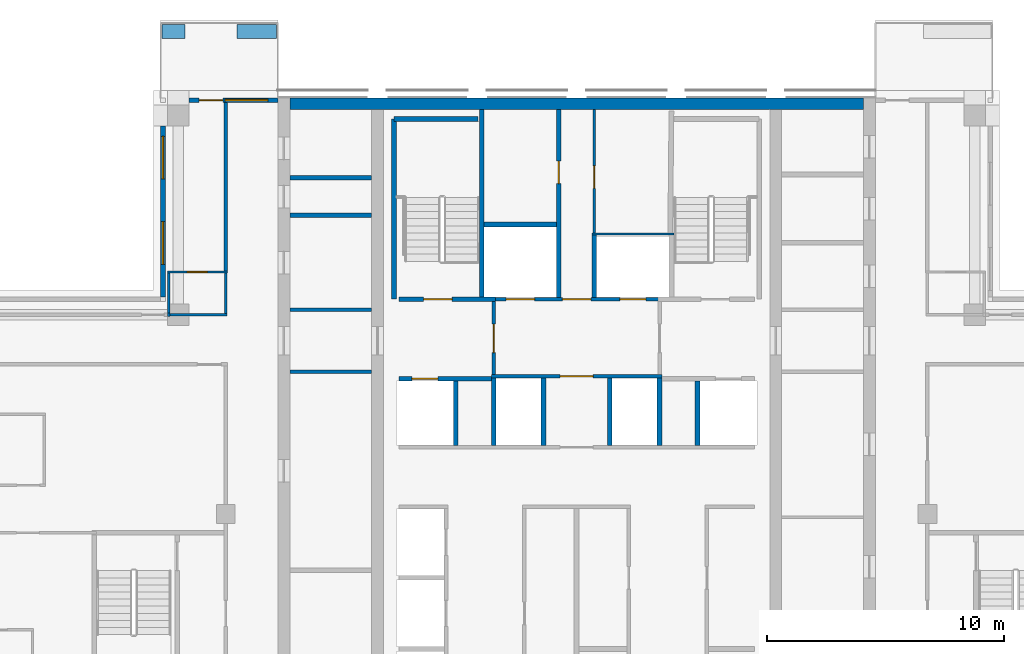
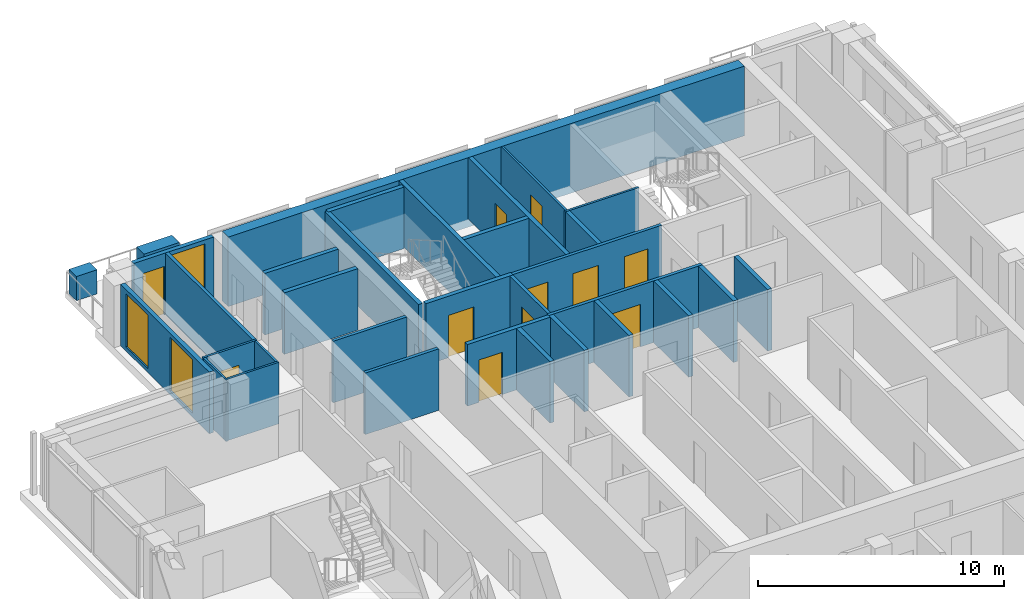
# One storey, part 14 of 19: 34 walls, 11 doors, 3 windows, 14 openings.
"""IFC4 building model written with IfcOpenShell, lengths in metres."""

from ifc_helpers import new_model, si_unit, direction, frame, frame_2d, origin, place, context, subcontext, project, spatial, rectangle, extrude, material, layer, layer_set, type_object, element, fill, save


model = new_model("IFC4")

# Units and contexts
model_context = context("Model", 3, precision=1e-05, world=origin(), true_north=direction((0.0, 1.0)))
body_context = subcontext(model_context, "Body", "Model", "MODEL_VIEW")
ifc_project = project(units=[si_unit("LENGTHUNIT", "METRE"), si_unit("AREAUNIT", "SQUARE_METRE"), si_unit("VOLUMEUNIT", "CUBIC_METRE"), si_unit("PLANEANGLEUNIT", "RADIAN"), si_unit("MASSUNIT", "GRAM", prefix="KILO")], contexts=[model_context])

# Site, building, storey
site_placement = place(None, origin())
site = spatial("IfcSite", under=ifc_project, at=site_placement, CompositionType="ELEMENT")
building_placement = place(site_placement, origin())
building = spatial("IfcBuilding", under=site, at=building_placement, Name="Vermilion Ogive Tower", CompositionType="ELEMENT")
storey_placement = place(building_placement, frame((0.0, 0.0, 226.89990234375)))
storey = spatial("IfcBuildingStorey", under=building, at=storey_placement, Name="L59", CompositionType="ELEMENT", Elevation=226.89990234375)

# Walls
ifc_material_1 = material(Name="Concrete B60", Category="concrete")
ifc_layer_1 = layer(ifc_material_1, 0.5)
ifc_layer_set_1 = layer_set([ifc_layer_1], Name="Core wall 500 B60")
wall_type_1 = type_object("IfcWallType", Name="Core wall 500 B60", PredefinedType="SHEAR", material=ifc_layer_set_1)
wall_1_placement = place(storey_placement, frame((-12.10009765625, 21.5, -0.39990234375), z_axis=(0.0, 0.0, 1.0), x_axis=(1.0, 0.0, 0.0)))
element("IfcWall", 1, at=wall_1_placement, inside=storey, type_object=wall_type_1, Name="L59-CORE-N", PredefinedType="SHEAR", context=body_context, shape_type="SweptSolid", body=[
    extrude(rectangle(XDim=24.2001953125, YDim=0.5, at=frame_2d((12.10009765625, 0.0))), origin(), (0.0, 0.0, 1.0), 3.449951171875),
])
ifc_material_2 = material(Name="Gypsum board partition on steel studs", Category="steel")
ifc_layer_2 = layer(ifc_material_2, 0.10009765625)
ifc_layer_set_2 = layer_set([ifc_layer_2], Name="Partition 100 bath")
wall_type_2 = type_object("IfcWallType", Name="Partition 100 bath", PredefinedType="PARTITIONING", material=ifc_layer_set_2)
wall_2_placement = place(storey_placement, frame((-17.25, 12.60009765625, 0.0), z_axis=(0.0, 0.0, 1.0), x_axis=(1.0, 0.0, 0.0)))
element("IfcWall", 2, at=wall_2_placement, inside=storey, type_object=wall_type_2, Name="L59-W-W034", PredefinedType="PARTITIONING", context=body_context, shape_type="SweptSolid", body=[
    extrude(rectangle(XDim=2.5, YDim=0.10009765625, at=frame_2d((1.25, 0.0))), origin(), (0.0, 0.0, 1.0), 3.050048828125),
])

# Wall, opening, door
wall_3_placement = place(storey_placement, frame((-17.25, 14.39990234375, 0.0), z_axis=(0.0, 0.0, 1.0), x_axis=(1.0, 0.0, 0.0)))
wall_3 = element("IfcWall", 3, at=wall_3_placement, inside=storey, type_object=wall_type_2, Name="L59-W-W037", PredefinedType="PARTITIONING", context=body_context, shape_type="SweptSolid", body=[
    extrude(rectangle(XDim=2.52490234375, YDim=0.10009765625, at=frame_2d((1.262451171875, 0.0))), origin(), (0.0, 0.0, 1.0), 3.050048828125),
])
opening_1_placement = place(wall_3_placement, frame((0.824951171875, 0.0, 0.0)))
opening_1 = element("IfcOpeningElement", 4, at=opening_1_placement, cuts=wall_3, Name="Opening D5G1008", PredefinedType="OPENING", context=body_context, shape_type="SweptSolid", body=[
    extrude(rectangle(XDim=0.85009765625, YDim=2.10009765625, at=frame_2d((0.425048828125, 1.050048828125))), frame((0.0, 0.06005859375, 0.0), z_axis=(0.0, -1.0, 0.0), x_axis=(1.0, 0.0, 0.0)), (0.0, 0.0, 1.0), 0.1201171875),
])
ifc_material_3 = material(Name="Timber door leaf", Category="wood")
door_type_1 = type_object("IfcDoorType", Name="Bath door 850 x 2100 FD30", OperationType="SINGLE_SWING_LEFT", PredefinedType="DOOR", material=ifc_material_3)
door_1_placement = place(opening_1_placement, origin())
door_1 = element("IfcDoor", 5, at=door_1_placement, inside=storey, type_object=door_type_1, Name="L59-D-D008", OperationType="SINGLE_SWING_RIGHT", OverallHeight=2.10009765625, OverallWidth=0.85009765625, PredefinedType="DOOR", context=body_context, shape_type="SweptSolid", body=[
    extrude(rectangle(XDim=0.85009765625, YDim=2.10009765625, at=frame_2d((0.425048828125, 1.050048828125))), frame((0.0, 0.02490234375, 0.0), z_axis=(0.0, -1.0, 0.0), x_axis=(1.0, 0.0, 0.0)), (0.0, 0.0, 1.0), 0.050048828125),
])
fill(opening_1, door_1)

# Walls
wall_4_placement = place(storey_placement, frame((-17.199951171875, 12.675048828125, 0.0), z_axis=(0.0, 0.0, 1.0), x_axis=(0.0, 1.0, 0.0)))
element("IfcWall", 6, at=wall_4_placement, inside=storey, type_object=wall_type_2, Name="L59-W-W043", PredefinedType="PARTITIONING", context=body_context, shape_type="SweptSolid", body=[
    extrude(rectangle(XDim=1.675048828125, YDim=0.10009765625, at=frame_2d((0.83740234375, 0.0))), origin(), (0.0, 0.0, 1.0), 3.050048828125),
])
wall_5_placement = place(storey_placement, frame((-14.800048828125, 12.64990234375, 0.0), z_axis=(0.0, 0.0, 1.0), x_axis=(0.0, 1.0, 0.0)))
element("IfcWall", 7, at=wall_5_placement, inside=storey, type_object=wall_type_2, Name="L59-W-W046", PredefinedType="PARTITIONING", context=body_context, shape_type="SweptSolid", body=[
    extrude(rectangle(XDim=1.7001953125, YDim=0.10009765625, at=frame_2d((0.85009765625, 0.0))), origin(), (0.0, 0.0, 1.0), 3.050048828125),
])
wall_6_placement = place(storey_placement, frame((0.64990234375, 16.0, 0.0), z_axis=(0.0, 0.0, 1.0), x_axis=(1.0, 0.0, 0.0)))
element("IfcWall", 8, at=wall_6_placement, inside=storey, type_object=wall_type_2, Name="L59-CK-W-W017", PredefinedType="PARTITIONING", context=body_context, shape_type="SweptSolid", body=[
    extrude(rectangle(XDim=3.4501953125, YDim=0.10009765625, at=frame_2d((1.72509765625, 0.0))), origin(), (0.0, 0.0, 1.0), 3.050048828125),
])

# Wall, opening, door
wall_7_placement = place(storey_placement, frame((0.75, 16.050048828125, 0.0), z_axis=(0.0, 0.0, 1.0), x_axis=(0.0, 1.0, 0.0)))
wall_7 = element("IfcWall", 9, at=wall_7_placement, inside=storey, type_object=wall_type_2, Name="L59-CK-W-W029", PredefinedType="PARTITIONING", context=body_context, shape_type="SweptSolid", body=[
    extrude(rectangle(XDim=5.198974609375, YDim=0.10009765625, at=frame_2d((2.599609375, 0.0))), origin(), (0.0, 0.0, 1.0), 3.050048828125),
])
opening_2_placement = place(wall_7_placement, frame((1.875, 0.0, 0.0)))
opening_2 = element("IfcOpeningElement", 10, at=opening_2_placement, cuts=wall_7, Name="Opening DAA549", PredefinedType="OPENING", context=body_context, shape_type="SweptSolid", body=[
    extrude(rectangle(XDim=0.949951171875, YDim=2.10009765625, at=frame_2d((0.47509765625, 1.050048828125))), frame((0.0, 0.06005859375, 0.0), z_axis=(0.0, -1.0, 0.0), x_axis=(1.0, 0.0, 0.0)), (0.0, 0.0, 1.0), 0.1201171875),
])
ifc_material_4 = material(Name="Timber door leaf", Category="wood")
door_type_2 = type_object("IfcDoorType", Name="Service door 950 x 2100 FD60", OperationType="SINGLE_SWING_LEFT", PredefinedType="DOOR", material=ifc_material_4)
door_2_placement = place(opening_2_placement, origin())
door_2 = element("IfcDoor", 11, at=door_2_placement, inside=storey, type_object=door_type_2, Name="L59-CK-D-D021", OperationType="SINGLE_SWING_LEFT", OverallHeight=2.10009765625, OverallWidth=0.949951171875, PredefinedType="DOOR", context=body_context, shape_type="SweptSolid", body=[
    extrude(rectangle(XDim=0.949951171875, YDim=2.10009765625, at=frame_2d((0.47509765625, 1.050048828125))), frame((0.0, 0.02490234375, 0.0), z_axis=(0.0, -1.0, 0.0), x_axis=(1.0, 0.0, 0.0)), (0.0, 0.0, 1.0), 0.050048828125),
])
fill(opening_2, door_2)

# Wall
ifc_material_5 = material(Name="Gypsum board partition on steel studs", Category="steel")
ifc_layer_3 = layer(ifc_material_5, 0.14990234375)
ifc_layer_set_3 = layer_set([ifc_layer_3], Name="Partition 150 corridor")
wall_type_3 = type_object("IfcWallType", Name="Partition 150 corridor", PredefinedType="PARTITIONING", material=ifc_layer_set_3)
wall_8_placement = place(storey_placement, frame((-14.800048828125, 14.449951171875, 0.0), z_axis=(0.0, 0.0, 1.0), x_axis=(0.0, 1.0, 0.0)))
element("IfcWall", 12, at=wall_8_placement, inside=storey, type_object=wall_type_3, Name="L59-W-W047", PredefinedType="PARTITIONING", context=body_context, shape_type="SweptSolid", body=[
    extrude(rectangle(XDim=7.10009765625, YDim=0.14990234375, at=frame_2d((3.550048828125, 0.0))), origin(), (0.0, 0.0, 1.0), 3.050048828125),
])

# Wall, opening, door
wall_9_placement = place(storey_placement, frame((-3.60009765625, 10.0, 0.0), z_axis=(0.0, 0.0, 1.0), x_axis=(1.0, 0.0, 0.0)))
wall_9 = element("IfcWall", 13, at=wall_9_placement, inside=storey, type_object=wall_type_3, Name="L59-CK-W-W013", PredefinedType="PARTITIONING", context=body_context, shape_type="SweptSolid", body=[
    extrude(rectangle(XDim=7.2001953125, YDim=0.14990234375, at=frame_2d((3.60009765625, 0.0))), origin(), (0.0, 0.0, 1.0), 3.050048828125),
])
opening_3_placement = place(wall_9_placement, frame((2.900146484375, 0.0, 0.0)))
opening_3 = element("IfcOpeningElement", 14, at=opening_3_placement, cuts=wall_9, Name="Opening DAA541", PredefinedType="OPENING", context=body_context, shape_type="SweptSolid", body=[
    extrude(rectangle(XDim=1.39990234375, YDim=2.10009765625, at=frame_2d((0.699951171875, 1.050048828125))), frame((0.0, 0.0849609375, 0.0), z_axis=(0.0, -1.0, 0.0), x_axis=(1.0, 0.0, 0.0)), (0.0, 0.0, 1.0), 0.169921875),
])
ifc_material_6 = material(Name="Timber door leaf", Category="wood")
door_type_3 = type_object("IfcDoorType", Name="Lobby door 1400 x 2100 FD60S", OperationType="SINGLE_SWING_LEFT", PredefinedType="DOOR", material=ifc_material_6)
door_3_placement = place(opening_3_placement, origin())
door_3 = element("IfcDoor", 15, at=door_3_placement, inside=storey, type_object=door_type_3, Name="L59-CK-D-D016", OperationType="SINGLE_SWING_RIGHT", OverallHeight=2.10009765625, OverallWidth=1.39990234375, PredefinedType="DOOR", context=body_context, shape_type="SweptSolid", body=[
    extrude(rectangle(XDim=1.39990234375, YDim=2.10009765625, at=frame_2d((0.699951171875, 1.050048828125))), frame((0.0, 0.02490234375, 0.0), z_axis=(0.0, -1.0, 0.0), x_axis=(1.0, 0.0, 0.0)), (0.0, 0.0, 1.0), 0.050048828125),
])
fill(opening_3, door_3)

# Wall, openings, doors
wall_10_placement = place(storey_placement, frame((-3.574951171875, 13.25, 0.0), z_axis=(0.0, 0.0, 1.0), x_axis=(1.0, 0.0, 0.0)))
wall_10 = element("IfcWall", 16, at=wall_10_placement, inside=storey, type_object=wall_type_3, Name="L59-CK-W-W015", PredefinedType="PARTITIONING", context=body_context, shape_type="SweptSolid", body=[
    extrude(rectangle(XDim=7.14990234375, YDim=0.14990234375, at=frame_2d((3.574951171875, 0.0))), origin(), (0.0, 0.0, 1.0), 3.050048828125),
])
opening_4_placement = place(wall_10_placement, frame((0.599853515625, 0.0, 0.0)))
opening_4 = element("IfcOpeningElement", 17, at=opening_4_placement, cuts=wall_10, Name="Opening DAA560", PredefinedType="OPENING", context=body_context, shape_type="SweptSolid", body=[
    extrude(rectangle(XDim=1.199951171875, YDim=2.10009765625, at=frame_2d((0.60009765625, 1.050048828125))), frame((0.0, 0.0849609375, 0.0), z_axis=(0.0, -1.0, 0.0), x_axis=(1.0, 0.0, 0.0)), (0.0, 0.0, 1.0), 0.169921875),
])
opening_5_placement = place(wall_10_placement, frame((5.39990234375, 0.0, 0.0)))
opening_5 = element("IfcOpeningElement", 18, at=opening_5_placement, cuts=wall_10, Name="Opening DAA559", PredefinedType="OPENING", context=body_context, shape_type="SweptSolid", body=[
    extrude(rectangle(XDim=1.10009765625, YDim=2.10009765625, at=frame_2d((0.550048828125, 1.050048828125))), frame((0.0, 0.0849609375, 0.0), z_axis=(0.0, -1.0, 0.0), x_axis=(1.0, 0.0, 0.0)), (0.0, 0.0, 1.0), 0.169921875),
])
opening_6_placement = place(wall_10_placement, frame((2.974853515625, 0.0, 0.0)))
opening_6 = element("IfcOpeningElement", 19, at=opening_6_placement, cuts=wall_10, Name="Opening DAA542", PredefinedType="OPENING", context=body_context, shape_type="SweptSolid", body=[
    extrude(rectangle(XDim=1.199951171875, YDim=2.10009765625, at=frame_2d((0.60009765625, 1.050048828125))), frame((0.0, 0.0849609375, 0.0), z_axis=(0.0, -1.0, 0.0), x_axis=(1.0, 0.0, 0.0)), (0.0, 0.0, 1.0), 0.169921875),
])
ifc_material_7 = material(Name="Stainless steel", Category="steel")
door_type_4 = type_object("IfcDoorType", Name="Lift landing door 1100 x 2100", OperationType="SLIDING_TO_LEFT", PredefinedType="DOOR", material=ifc_material_7)
door_4_placement = place(opening_5_placement, origin())
door_4 = element("IfcDoor", 20, at=door_4_placement, inside=storey, type_object=door_type_4, Name="L59-CK-D-D018", OperationType="SLIDING_TO_LEFT", OverallHeight=2.10009765625, OverallWidth=1.10009765625, PredefinedType="DOOR", context=body_context, shape_type="SweptSolid", body=[
    extrude(rectangle(XDim=1.10009765625, YDim=2.10009765625, at=frame_2d((0.550048828125, 1.050048828125))), frame((0.0, 0.02490234375, 0.0), z_axis=(0.0, -1.0, 0.0), x_axis=(1.0, 0.0, 0.0)), (0.0, 0.0, 1.0), 0.050048828125),
])
fill(opening_5, door_4)
ifc_material_8 = material(Name="Stainless steel", Category="steel")
door_type_5 = type_object("IfcDoorType", Name="Lift landing door 1200 x 2100", OperationType="SLIDING_TO_LEFT", PredefinedType="DOOR", material=ifc_material_8)
door_5_placement = place(opening_4_placement, origin())
door_5 = element("IfcDoor", 21, at=door_5_placement, inside=storey, type_object=door_type_5, Name="L59-CK-D-D017", OperationType="SLIDING_TO_RIGHT", OverallHeight=2.10009765625, OverallWidth=1.199951171875, PredefinedType="DOOR", context=body_context, shape_type="SweptSolid", body=[
    extrude(rectangle(XDim=1.199951171875, YDim=2.10009765625, at=frame_2d((0.60009765625, 1.050048828125))), frame((0.0, 0.02490234375, 0.0), z_axis=(0.0, -1.0, 0.0), x_axis=(1.0, 0.0, 0.0)), (0.0, 0.0, 1.0), 0.050048828125),
])
fill(opening_4, door_5)
ifc_material_9 = material(Name="Timber door leaf", Category="wood")
door_type_6 = type_object("IfcDoorType", Name="Service door 1200 x 2100 FD60", OperationType="SINGLE_SWING_LEFT", PredefinedType="DOOR", material=ifc_material_9)
door_6_placement = place(opening_6_placement, origin())
door_6 = element("IfcDoor", 22, at=door_6_placement, inside=storey, type_object=door_type_6, Name="L59-CK-D-D019", OperationType="SINGLE_SWING_RIGHT", OverallHeight=2.10009765625, OverallWidth=1.199951171875, PredefinedType="DOOR", context=body_context, shape_type="SweptSolid", body=[
    extrude(rectangle(XDim=1.199951171875, YDim=2.10009765625, at=frame_2d((0.60009765625, 1.050048828125))), frame((0.0, 0.02490234375, 0.0), z_axis=(0.0, -1.0, 0.0), x_axis=(1.0, 0.0, 0.0)), (0.0, 0.0, 1.0), 0.050048828125),
])
fill(opening_6, door_6)

# Wall, opening, door
wall_11_placement = place(storey_placement, frame((-3.5, 10.074951171875, 0.0), z_axis=(0.0, 0.0, 1.0), x_axis=(0.0, 1.0, 0.0)))
wall_11 = element("IfcWall", 23, at=wall_11_placement, inside=storey, type_object=wall_type_3, Name="L59-CK-W-W023", PredefinedType="PARTITIONING", context=body_context, shape_type="SweptSolid", body=[
    extrude(rectangle(XDim=3.074951171875, YDim=0.14990234375, at=frame_2d((1.53759765625, 0.0))), origin(), (0.0, 0.0, 1.0), 3.050048828125),
])
opening_7_placement = place(wall_11_placement, frame((0.925048828125, 0.0, 0.0)))
opening_7 = element("IfcOpeningElement", 24, at=opening_7_placement, cuts=wall_11, Name="Opening DAA538", PredefinedType="OPENING", context=body_context, shape_type="SweptSolid", body=[
    extrude(rectangle(XDim=1.199951171875, YDim=2.10009765625, at=frame_2d((0.60009765625, 1.050048828125))), frame((0.0, 0.0849609375, 0.0), z_axis=(0.0, -1.0, 0.0), x_axis=(1.0, 0.0, 0.0)), (0.0, 0.0, 1.0), 0.169921875),
])
ifc_material_10 = material(Name="Timber door leaf", Category="wood")
door_type_7 = type_object("IfcDoorType", Name="Lobby door 1200 x 2100 FD60S", OperationType="SINGLE_SWING_LEFT", PredefinedType="DOOR", material=ifc_material_10)
door_7_placement = place(opening_7_placement, origin())
door_7 = element("IfcDoor", 25, at=door_7_placement, inside=storey, type_object=door_type_7, Name="L59-CK-D-D022", OperationType="SINGLE_SWING_RIGHT", OverallHeight=2.10009765625, OverallWidth=1.199951171875, PredefinedType="DOOR", context=body_context, shape_type="SweptSolid", body=[
    extrude(rectangle(XDim=1.199951171875, YDim=2.10009765625, at=frame_2d((0.60009765625, 1.050048828125))), frame((0.0, 0.02490234375, 0.0), z_axis=(0.0, -1.0, 0.0), x_axis=(1.0, 0.0, 0.0)), (0.0, 0.0, 1.0), 0.050048828125),
])
fill(opening_7, door_7)

# Walls
for number, where, z_axis, x_axis, name in (
    (26, (-12.09912109375, 10.199951171875, 0.0), (0.0, 0.0, 1.0), (1.0, 0.0, 0.0), "L59-CKW-W-W002"),
    (27, (-12.09912109375, 12.800048828125, 0.0), (0.0, 0.0, 1.0), (1.0, 0.0, 0.0), "L59-CKW-W-W003"),
):
    element("IfcWall", number, at=place(storey_placement, frame(where, z_axis=z_axis, x_axis=x_axis)), inside=storey, type_object=wall_type_3, Name=name, PredefinedType="PARTITIONING", context=body_context, shape_type="SweptSolid", body=[
        extrude(rectangle(XDim=3.4482421875, YDim=0.14990234375, at=frame_2d((1.72412109375, 0.0))), origin(), (0.0, 0.0, 1.0), 3.050048828125),
    ])
wall_12_placement = place(storey_placement, frame((-17.25, 12.60009765625, 0.0), z_axis=(0.0, 0.0, 1.0), x_axis=(1.0, 0.0, 0.0)))
element("IfcWall", 28, at=wall_12_placement, inside=storey, type_object=wall_type_3, Name="L59-W-W033-h2", PredefinedType="PARTITIONING", context=body_context, shape_type="SweptSolid", body=[
    extrude(rectangle(XDim=0.10009765625, YDim=0.14990234375, at=frame_2d((0.050048828125, 0.0))), origin(), (0.0, 0.0, 1.0), 3.050048828125),
])

# Wall, opening, door
ifc_material_11 = material(Name="Gypsum board partition on steel studs", Category="steel")
ifc_layer_4 = layer(ifc_material_11, 0.199951171875)
ifc_layer_set_4 = layer_set([ifc_layer_4], Name="Partition 200 party")
wall_type_4 = type_object("IfcWallType", Name="Partition 200 party", PredefinedType="PARTITIONING", material=ifc_layer_set_4)
wall_13_placement = place(storey_placement, frame((-7.5, 9.89990234375, 0.0), z_axis=(0.0, 0.0, 1.0), x_axis=(1.0, 0.0, 0.0)))
wall_13 = element("IfcWall", 29, at=wall_13_placement, inside=storey, type_object=wall_type_4, Name="L59-CK-W-W011", PredefinedType="PARTITIONING", context=body_context, shape_type="SweptSolid", body=[
    extrude(rectangle(XDim=3.89990234375, YDim=0.199951171875, at=frame_2d((1.949951171875, 0.0))), origin(), (0.0, 0.0, 1.0), 3.050048828125),
])
opening_8_placement = place(wall_13_placement, frame((0.550048828125, 0.0, 0.0)))
opening_8 = element("IfcOpeningElement", 30, at=opening_8_placement, cuts=wall_13, Name="Opening DAA557", PredefinedType="OPENING", context=body_context, shape_type="SweptSolid", body=[
    extrude(rectangle(XDim=1.10009765625, YDim=2.10009765625, at=frame_2d((0.550048828125, 1.050048828125))), frame((0.0, 0.10986328125, 0.0), z_axis=(0.0, -1.0, 0.0), x_axis=(1.0, 0.0, 0.0)), (0.0, 0.0, 1.0), 0.219970703125),
])
door_8_placement = place(opening_8_placement, origin())
door_8 = element("IfcDoor", 31, at=door_8_placement, inside=storey, type_object=door_type_4, Name="L59-CK-D-D012", OperationType="SLIDING_TO_RIGHT", OverallHeight=2.10009765625, OverallWidth=1.10009765625, PredefinedType="DOOR", context=body_context, shape_type="SweptSolid", body=[
    extrude(rectangle(XDim=1.10009765625, YDim=2.10009765625, at=frame_2d((0.550048828125, 1.050048828125))), frame((0.0, 0.02490234375, 0.0), z_axis=(0.0, -1.0, 0.0), x_axis=(1.0, 0.0, 0.0)), (0.0, 0.0, 1.0), 0.050048828125),
])
fill(opening_8, door_8)

# Walls
wall_14_placement = place(storey_placement, frame((-3.89990234375, 16.39990234375, 0.0), z_axis=(0.0, 0.0, 1.0), x_axis=(1.0, 0.0, 0.0)))
element("IfcWall", 32, at=wall_14_placement, inside=storey, type_object=wall_type_4, Name="L59-CK-W-W018", PredefinedType="PARTITIONING", context=body_context, shape_type="SweptSolid", body=[
    extrude(rectangle(XDim=3.0498046875, YDim=0.199951171875, at=frame_2d((1.52490234375, 0.0))), origin(), (0.0, 0.0, 1.0), 3.050048828125),
])
wall_15_placement = place(storey_placement, frame((-5.10009765625, 7.074951171875, 0.0), z_axis=(0.0, 0.0, 1.0), x_axis=(0.0, 1.0, 0.0)))
element("IfcWall", 33, at=wall_15_placement, inside=storey, type_object=wall_type_4, Name="L59-CK-W-W020", PredefinedType="PARTITIONING", context=body_context, shape_type="SweptSolid", body=[
    extrude(rectangle(XDim=2.72509765625, YDim=0.199951171875, at=frame_2d((1.362548828125, 0.0))), origin(), (0.0, 0.0, 1.0), 3.050048828125),
])
for number, where, z_axis, x_axis, name in (
    (34, (-3.5, 7.074951171875, 0.0), (0.0, 0.0, 1.0), (0.0, 1.0, 0.0), "L59-CK-W-W022"),
    (35, (-1.39990234375, 7.074951171875, 0.0), (0.0, 0.0, 1.0), (0.0, 1.0, 0.0), "L59-CK-W-W025"),
):
    element("IfcWall", number, at=place(storey_placement, frame(where, z_axis=z_axis, x_axis=x_axis)), inside=storey, type_object=wall_type_4, Name=name, PredefinedType="PARTITIONING", context=body_context, shape_type="SweptSolid", body=[
        extrude(rectangle(XDim=2.85009765625, YDim=0.199951171875, at=frame_2d((1.425048828125, 0.0))), origin(), (0.0, 0.0, 1.0), 3.050048828125),
    ])

# Wall, opening, door
wall_16_placement = place(storey_placement, frame((-0.75, 13.324951171875, 0.0), z_axis=(0.0, 0.0, 1.0), x_axis=(0.0, 1.0, 0.0)))
wall_16 = element("IfcWall", 36, at=wall_16_placement, inside=storey, type_object=wall_type_4, Name="L59-CK-W-W026", PredefinedType="PARTITIONING", context=body_context, shape_type="SweptSolid", body=[
    extrude(rectangle(XDim=7.924072265625, YDim=0.199951171875, at=frame_2d((3.9619140625, 0.0))), origin(), (0.0, 0.0, 1.0), 3.050048828125),
])
opening_9_placement = place(wall_16_placement, frame((4.800048828125, 0.0, 0.0)))
opening_9 = element("IfcOpeningElement", 37, at=opening_9_placement, cuts=wall_16, Name="Opening DAA548", PredefinedType="OPENING", context=body_context, shape_type="SweptSolid", body=[
    extrude(rectangle(XDim=0.949951171875, YDim=2.10009765625, at=frame_2d((0.47509765625, 1.050048828125))), frame((0.0, 0.10986328125, 0.0), z_axis=(0.0, -1.0, 0.0), x_axis=(1.0, 0.0, 0.0)), (0.0, 0.0, 1.0), 0.219970703125),
])
door_9_placement = place(opening_9_placement, origin())
door_9 = element("IfcDoor", 38, at=door_9_placement, inside=storey, type_object=door_type_2, Name="L59-CK-D-D020", OperationType="SINGLE_SWING_RIGHT", OverallHeight=2.10009765625, OverallWidth=0.949951171875, PredefinedType="DOOR", context=body_context, shape_type="SweptSolid", body=[
    extrude(rectangle(XDim=0.949951171875, YDim=2.10009765625, at=frame_2d((0.47509765625, 1.050048828125))), frame((0.0, 0.02490234375, 0.0), z_axis=(0.0, -1.0, 0.0), x_axis=(1.0, 0.0, 0.0)), (0.0, 0.0, 1.0), 0.050048828125),
])
fill(opening_9, door_9)

# Walls
wall_17_placement = place(storey_placement, frame((0.75, 13.324951171875, 0.0), z_axis=(0.0, 0.0, 1.0), x_axis=(0.0, 1.0, 0.0)))
element("IfcWall", 39, at=wall_17_placement, inside=storey, type_object=wall_type_4, Name="L59-CK-W-W028", PredefinedType="PARTITIONING", context=body_context, shape_type="SweptSolid", body=[
    extrude(rectangle(XDim=2.625, YDim=0.199951171875, at=frame_2d((1.3125, 0.0))), origin(), (0.0, 0.0, 1.0), 3.050048828125),
])
for number, where, z_axis, x_axis, name in (
    (40, (1.39990234375, 7.074951171875, 0.0), (0.0, 0.0, 1.0), (0.0, 1.0, 0.0), "L59-CK-W-W030"),
    (41, (3.5, 7.074951171875, 0.0), (0.0, 0.0, 1.0), (0.0, 1.0, 0.0), "L59-CK-W-W032"),
):
    element("IfcWall", number, at=place(storey_placement, frame(where, z_axis=z_axis, x_axis=x_axis)), inside=storey, type_object=wall_type_4, Name=name, PredefinedType="PARTITIONING", context=body_context, shape_type="SweptSolid", body=[
        extrude(rectangle(XDim=2.85009765625, YDim=0.199951171875, at=frame_2d((1.425048828125, 0.0))), origin(), (0.0, 0.0, 1.0), 3.050048828125),
    ])
wall_18_placement = place(storey_placement, frame((5.10009765625, 7.074951171875, 0.0), z_axis=(0.0, 0.0, 1.0), x_axis=(0.0, 1.0, 0.0)))
element("IfcWall", 42, at=wall_18_placement, inside=storey, type_object=wall_type_4, Name="L59-CK-W-W036", PredefinedType="PARTITIONING", context=body_context, shape_type="SweptSolid", body=[
    extrude(rectangle(XDim=2.72509765625, YDim=0.199951171875, at=frame_2d((1.362548828125, 0.0))), origin(), (0.0, 0.0, 1.0), 3.050048828125),
])
for number, where, z_axis, x_axis, name in (
    (43, (-12.09912109375, 16.7880859375, 0.0), (0.0, 0.0, 1.0), (1.0, 0.0, 0.0), "L59-CKW-W-W004"),
    (44, (-12.09912109375, 18.373046875, 0.0), (0.0, 0.0, 1.0), (1.0, 0.0, 0.0), "L59-CKW-W-W005"),
):
    element("IfcWall", number, at=place(storey_placement, frame(where, z_axis=z_axis, x_axis=x_axis)), inside=storey, type_object=wall_type_4, Name=name, PredefinedType="PARTITIONING", context=body_context, shape_type="SweptSolid", body=[
        extrude(rectangle(XDim=3.4482421875, YDim=0.199951171875, at=frame_2d((1.72412109375, 0.0))), origin(), (0.0, 0.0, 1.0), 3.050048828125),
    ])

# Wall, opening, door
ifc_material_12 = material(Name="Concrete B60", Category="concrete")
ifc_layer_5 = layer(ifc_material_12, 0.199951171875)
ifc_layer_set_5 = layer_set([ifc_layer_5], Name="Stair shaft wall 200 Concrete B60")
wall_type_5 = type_object("IfcWallType", Name="Stair shaft wall 200 Concrete B60", PredefinedType="SOLIDWALL", material=ifc_layer_set_5)
wall_19_placement = place(storey_placement, frame((-7.5, 13.25, 0.0), z_axis=(0.0, 0.0, 1.0), x_axis=(1.0, 0.0, 0.0)))
wall_19 = element("IfcWall", 45, at=wall_19_placement, inside=storey, type_object=wall_type_5, Name="L59-CK-W-W014", PredefinedType="SOLIDWALL", context=body_context, shape_type="SweptSolid", body=[
    extrude(rectangle(XDim=4.074951171875, YDim=0.199951171875, at=frame_2d((2.03759765625, 0.0))), origin(), (0.0, 0.0, 1.0), 3.050048828125),
])
opening_10_placement = place(wall_19_placement, frame((1.050048828125, 0.0, 0.0)))
opening_10 = element("IfcOpeningElement", 46, at=opening_10_placement, cuts=wall_19, Name="Opening DAA550", PredefinedType="OPENING", context=body_context, shape_type="SweptSolid", body=[
    extrude(rectangle(XDim=1.199951171875, YDim=2.10009765625, at=frame_2d((0.60009765625, 1.050048828125))), frame((0.0, 0.10986328125, 0.0), z_axis=(0.0, -1.0, 0.0), x_axis=(1.0, 0.0, 0.0)), (0.0, 0.0, 1.0), 0.219970703125),
])
ifc_material_13 = material(Name="Timber door leaf", Category="wood")
door_type_8 = type_object("IfcDoorType", Name="Stair door 1200 x 2100 FD60S", OperationType="SINGLE_SWING_LEFT", PredefinedType="DOOR", material=ifc_material_13)
door_10_placement = place(opening_10_placement, origin())
door_10 = element("IfcDoor", 47, at=door_10_placement, inside=storey, type_object=door_type_8, Name="L59-CK-D-D011", OperationType="SINGLE_SWING_LEFT", OverallHeight=2.10009765625, OverallWidth=1.199951171875, PredefinedType="DOOR", context=body_context, shape_type="SweptSolid", body=[
    extrude(rectangle(XDim=1.199951171875, YDim=2.10009765625, at=frame_2d((0.60009765625, 1.050048828125))), frame((0.0, 0.02490234375, 0.0), z_axis=(0.0, -1.0, 0.0), x_axis=(1.0, 0.0, 0.0)), (0.0, 0.0, 1.0), 0.050048828125),
])
fill(opening_10, door_10)

# Walls
wall_20_placement = place(storey_placement, frame((-4.0, 13.35009765625, 0.0), z_axis=(0.0, 0.0, 1.0), x_axis=(0.0, 1.0, 0.0)))
element("IfcWall", 48, at=wall_20_placement, inside=storey, type_object=wall_type_5, Name="L59-CK-W-W021", PredefinedType="SOLIDWALL", context=body_context, shape_type="SweptSolid", body=[
    extrude(rectangle(XDim=7.89892578125, YDim=0.199951171875, at=frame_2d((3.949462890625, 0.0))), origin(), (0.0, 0.0, 1.0), 3.050048828125),
])
wall_21_placement = place(storey_placement, frame((-7.699951171875, 13.25, 0.0), z_axis=(0.0, 0.0, 1.0), x_axis=(0.0, 1.0, 0.0)))
element("IfcWall", 49, at=wall_21_placement, inside=storey, type_object=wall_type_5, Name="L59-SW-R015-W1", PredefinedType="SOLIDWALL", context=body_context, shape_type="SweptSolid", body=[
    extrude(rectangle(XDim=7.60009765625, YDim=0.199951171875, at=frame_2d((3.800048828125, 0.0))), origin(), (0.0, 0.0, 1.0), 3.050048828125),
])
wall_22_placement = place(storey_placement, frame((-7.699951171875, 20.85009765625, 0.0), z_axis=(0.0, 0.0, 1.0), x_axis=(1.0, 0.0, 0.0)))
element("IfcWall", 50, at=wall_22_placement, inside=storey, type_object=wall_type_5, Name="L59-SW-R015-N1", PredefinedType="SOLIDWALL", context=body_context, shape_type="SweptSolid", body=[
    extrude(rectangle(XDim=3.550048828125, YDim=0.199951171875, at=frame_2d((1.77490234375, 0.0))), origin(), (0.0, 0.0, 1.0), 3.050048828125),
])
ifc_material_14 = material(Name="Concrete B40", Category="concrete")
ifc_layer_6 = layer(ifc_material_14, 0.60009765625)
ifc_layer_set_6 = layer_set([ifc_layer_6], Name="Structural planter")
wall_type_6 = type_object("IfcWallType", Name="Structural planter", PredefinedType="USERDEFINED", material=ifc_layer_set_6)
wall_23_placement = place(storey_placement, frame((-12.659912109375, 24.550048828125, -0.039794921875), z_axis=(0.0, 0.0, 1.0), x_axis=(-1.0, 0.0, 0.0)))
element("IfcWall", 51, at=wall_23_placement, inside=storey, type_object=wall_type_6, Name="Planter N201A1", ObjectType="PLANTER", PredefinedType="USERDEFINED", context=body_context, shape_type="SweptSolid", body=[
    extrude(rectangle(XDim=1.6650390625, YDim=0.60009765625, at=frame_2d((0.83251953125, 0.0))), origin(), (0.0, 0.0, 1.0), 1.199951171875),
])
wall_24_placement = place(storey_placement, frame((-16.52490234375, 24.550048828125, -0.039794921875), z_axis=(0.0, 0.0, 1.0), x_axis=(-1.0, 0.0, 0.0)))
element("IfcWall", 52, at=wall_24_placement, inside=storey, type_object=wall_type_6, Name="Planter N201A2", ObjectType="PLANTER", PredefinedType="USERDEFINED", context=body_context, shape_type="SweptSolid", body=[
    extrude(rectangle(XDim=0.965087890625, YDim=0.60009765625, at=frame_2d((0.482421875, 0.0))), origin(), (0.0, 0.0, 1.0), 1.199951171875),
])

# Wall, openings, door, window
ifc_material_15 = material(Name="Aluminium window wall framing", Category="aluminium")
ifc_layer_7 = layer(ifc_material_15, 0.199951171875)
ifc_layer_set_7 = layer_set([ifc_layer_7], Name="Window wall")
wall_type_7 = type_object("IfcWallType", Name="Window wall", PredefinedType="STANDARD", material=ifc_layer_set_7)
wall_25_placement = place(storey_placement, frame((-12.60009765625, 21.64990234375, 0.0), z_axis=(0.0, 0.0, 1.0), x_axis=(-1.0, 0.0, 0.0)))
wall_25 = element("IfcWall", 53, at=wall_25_placement, inside=storey, type_object=wall_type_7, Name="Window wall N21", PredefinedType="STANDARD", context=body_context, shape_type="SweptSolid", body=[
    extrude(rectangle(XDim=3.75, YDim=0.199951171875, at=frame_2d((1.875, 0.0))), origin(), (0.0, 0.0, 1.0), 3.050048828125),
])
opening_11_placement = place(wall_25_placement, frame((0.425048828125, 0.0, 0.199951171875)))
opening_11 = element("IfcOpeningElement", 54, at=opening_11_placement, cuts=wall_25, Name="Opening W1-N296", PredefinedType="OPENING", context=body_context, shape_type="SweptSolid", body=[
    extrude(rectangle(XDim=1.800048828125, YDim=2.64990234375, at=frame_2d((0.89990234375, 1.324951171875))), frame((0.0, 0.10986328125, 0.0), z_axis=(0.0, -1.0, 0.0), x_axis=(1.0, 0.0, 0.0)), (0.0, 0.0, 1.0), 0.219970703125),
])
opening_12_placement = place(wall_25_placement, frame((2.324951171875, 0.0, 0.0)))
opening_12 = element("IfcOpeningElement", 55, at=opening_12_placement, cuts=wall_25, Name="Opening D1-N296", PredefinedType="OPENING", context=body_context, shape_type="SweptSolid", body=[
    extrude(rectangle(XDim=1.0, YDim=2.39990234375, at=frame_2d((0.5, 1.199951171875))), frame((0.0, 0.10986328125, 0.0), z_axis=(0.0, -1.0, 0.0), x_axis=(1.0, 0.0, 0.0)), (0.0, 0.0, 1.0), 0.219970703125),
])
ifc_material_16 = material(Name="Aluminium framed glazed door", Category="aluminium")
door_type_9 = type_object("IfcDoorType", Name="Balcony door D1", OperationType="SINGLE_SWING_LEFT", PredefinedType="DOOR", material=ifc_material_16)
door_11_placement = place(opening_12_placement, origin())
door_11 = element("IfcDoor", 56, at=door_11_placement, inside=storey, type_object=door_type_9, Name="Balcony door N296", OperationType="SINGLE_SWING_LEFT", OverallHeight=2.39990234375, OverallWidth=1.0, PredefinedType="DOOR", context=body_context, shape_type="SweptSolid", body=[
    extrude(rectangle(XDim=1.0, YDim=2.39990234375, at=frame_2d((0.5, 1.199951171875))), frame((0.0, 0.02490234375, 0.0), z_axis=(0.0, -1.0, 0.0), x_axis=(1.0, 0.0, 0.0)), (0.0, 0.0, 1.0), 0.050048828125),
])
fill(opening_12, door_11)
ifc_material_17 = material(Name="Aluminium framed double glazing", Category="aluminium")
window_type = type_object("IfcWindowType", Name="Guest window W1", PartitioningType="SINGLE_PANEL", PredefinedType="WINDOW", material=ifc_material_17)
window_1_placement = place(opening_11_placement, origin())
window_1 = element("IfcWindow", 57, at=window_1_placement, inside=storey, type_object=window_type, Name="Window N296", OverallHeight=2.64990234375, OverallWidth=1.800048828125, PartitioningType="SINGLE_PANEL", PredefinedType="WINDOW", context=body_context, shape_type="SweptSolid", body=[
    extrude(rectangle(XDim=1.800048828125, YDim=2.64990234375, at=frame_2d((0.89990234375, 1.324951171875))), frame((0.0, 0.030029296875, 0.0), z_axis=(0.0, -1.0, 0.0), x_axis=(1.0, 0.0, 0.0)), (0.0, 0.0, 1.0), 0.06005859375),
])
fill(opening_11, window_1)

# Wall, openings, windows
wall_26_placement = place(storey_placement, frame((-17.449951171875, 20.550048828125, 0.0), z_axis=(0.0, 0.0, 1.0), x_axis=(0.0, -1.0, 0.0)))
wall_26 = element("IfcWall", 58, at=wall_26_placement, inside=storey, type_object=wall_type_7, Name="Window wall X51", PredefinedType="STANDARD", context=body_context, shape_type="SweptSolid", body=[
    extrude(rectangle(XDim=7.199951171875, YDim=0.199951171875, at=frame_2d((3.60009765625, 0.0))), origin(), (0.0, 0.0, 1.0), 3.050048828125),
])
opening_13_placement = place(wall_26_placement, frame((4.02490234375, 0.0, 0.199951171875)))
opening_13 = element("IfcOpeningElement", 59, at=opening_13_placement, cuts=wall_26, Name="Opening W1-X503", PredefinedType="OPENING", context=body_context, shape_type="SweptSolid", body=[
    extrude(rectangle(XDim=1.800048828125, YDim=2.64990234375, at=frame_2d((0.89990234375, 1.324951171875))), frame((0.0, 0.10986328125, 0.0), z_axis=(0.0, -1.0, 0.0), x_axis=(1.0, 0.0, 0.0)), (0.0, 0.0, 1.0), 0.219970703125),
])
opening_14_placement = place(wall_26_placement, frame((0.425048828125, 0.0, 0.199951171875)))
opening_14 = element("IfcOpeningElement", 60, at=opening_14_placement, cuts=wall_26, Name="Opening W1-X504", PredefinedType="OPENING", context=body_context, shape_type="SweptSolid", body=[
    extrude(rectangle(XDim=1.800048828125, YDim=2.64990234375, at=frame_2d((0.89990234375, 1.324951171875))), frame((0.0, 0.10986328125, 0.0), z_axis=(0.0, -1.0, 0.0), x_axis=(1.0, 0.0, 0.0)), (0.0, 0.0, 1.0), 0.219970703125),
])
window_2_placement = place(opening_13_placement, origin())
window_2 = element("IfcWindow", 61, at=window_2_placement, inside=storey, type_object=window_type, Name="Window X503", OverallHeight=2.64990234375, OverallWidth=1.800048828125, PartitioningType="SINGLE_PANEL", PredefinedType="WINDOW", context=body_context, shape_type="SweptSolid", body=[
    extrude(rectangle(XDim=1.800048828125, YDim=2.64990234375, at=frame_2d((0.89990234375, 1.324951171875))), frame((0.0, 0.030029296875, 0.0), z_axis=(0.0, -1.0, 0.0), x_axis=(1.0, 0.0, 0.0)), (0.0, 0.0, 1.0), 0.06005859375),
])
fill(opening_13, window_2)
window_3_placement = place(opening_14_placement, origin())
window_3 = element("IfcWindow", 62, at=window_3_placement, inside=storey, type_object=window_type, Name="Window X504", OverallHeight=2.64990234375, OverallWidth=1.800048828125, PartitioningType="SINGLE_PANEL", PredefinedType="WINDOW", context=body_context, shape_type="SweptSolid", body=[
    extrude(rectangle(XDim=1.800048828125, YDim=2.64990234375, at=frame_2d((0.89990234375, 1.324951171875))), frame((0.0, 0.030029296875, 0.0), z_axis=(0.0, -1.0, 0.0), x_axis=(1.0, 0.0, 0.0)), (0.0, 0.0, 1.0), 0.06005859375),
])
fill(opening_14, window_3)

save(model, "model.ifc")
